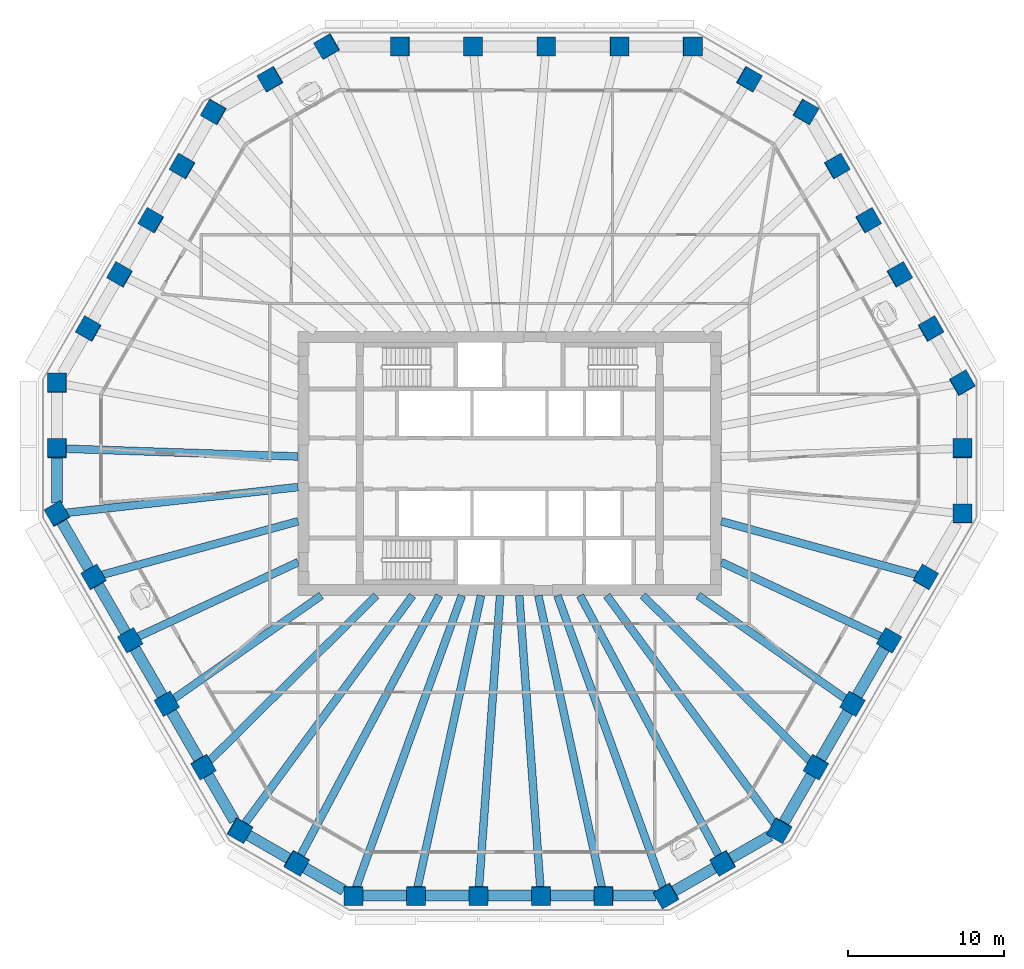
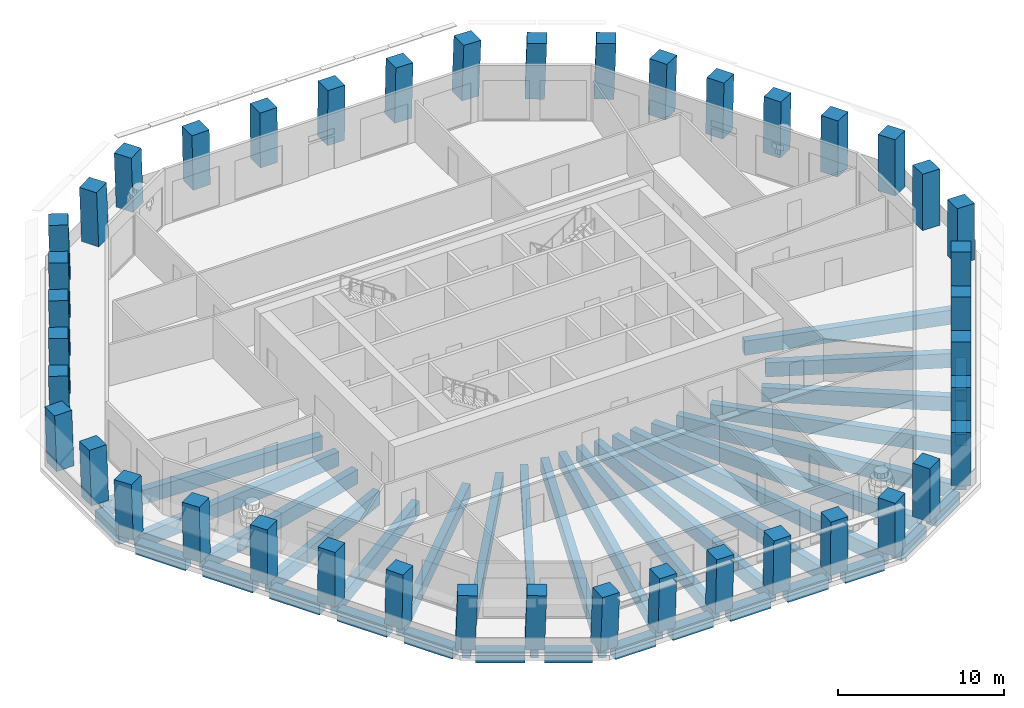
# One storey, part 1 of 12: 42 columns, 38 beams.
"""IFC4 building model written with IfcOpenShell, lengths in metres."""

from ifc_helpers import new_model, si_unit, direction, frame, origin, origin_2d, place, context, subcontext, project, spatial, rectangle, extrude, material, material_profile, profile_set, type_object, element, save


model = new_model("IFC4")

# Units and contexts
model_context = context("Model", 3, precision=1e-05, world=origin(), true_north=direction((0.0, 1.0)))
body_context = subcontext(model_context, "Body", "Model", "MODEL_VIEW")
ifc_project = project(units=[si_unit("LENGTHUNIT", "METRE"), si_unit("AREAUNIT", "SQUARE_METRE"), si_unit("VOLUMEUNIT", "CUBIC_METRE"), si_unit("PLANEANGLEUNIT", "RADIAN"), si_unit("MASSUNIT", "GRAM", prefix="KILO")], contexts=[model_context])

# Site, building, storey
site_placement = place(None, origin())
site = spatial("IfcSite", under=ifc_project, at=site_placement, CompositionType="ELEMENT")
building_placement = place(site_placement, origin())
building = spatial("IfcBuilding", under=site, at=building_placement, Name="Frailejon Research Tower", CompositionType="ELEMENT")
storey_placement = place(building_placement, frame((0.0, 0.0, 176.0)))
storey = spatial("IfcBuildingStorey", under=building, at=storey_placement, Name="L38", CompositionType="ELEMENT", Elevation=176.0)

# Columns
ifc_material_1 = material(Name="Concrete C60/75", Category="concrete")
ifc_material_profile_1 = material_profile(ifc_material_1, rectangle(XDim=1.199951171875, YDim=1.199951171875, at=origin_2d()), Name="Column 1200")
ifc_profile_set_1 = profile_set([ifc_material_profile_1], Name="Concrete C60/75")
column_type = type_object("IfcColumnType", Name="Column 1200", PredefinedType="COLUMN", material=ifc_profile_set_1)
for number, where, z_axis, x_axis, name in (
    (1, (28.9716796875, -3.219482421875, 0.0), (0.018132630042, 0.031385715123, 0.999342856388), (-0.000879091474, 0.999507299139, -0.031374928948), "Column C01"),
    (2, (28.9716796875, 0.968017578125, 0.0), (0.018132630042, 0.031385715123, 0.999342856388), (-0.000564983943, 0.99950734708, -0.031380629795), "Column C02"),
    (3, (28.9716796875, 5.155517578125, 0.0), (0.018132630042, 0.031385715123, 0.999342856388), (-0.500407005807, 0.865600954182, -0.018105707902), "Column C03"),
):
    element("IfcColumn", number, at=place(storey_placement, frame(where, z_axis=z_axis, x_axis=x_axis)), inside=storey, type_object=column_type, Name=name, PredefinedType="COLUMN", context=body_context, shape_type="SweptSolid", body=[
        extrude(rectangle(XDim=1.199951171875, YDim=1.199951171875, at=origin_2d()), origin(), (0.0, 0.0, 1.0), 4.052734375),
    ])
column_1_placement = place(storey_placement, frame((26.96728515625, 8.626953125, 0.0), z_axis=(0.021809609218, 0.025123223878, 0.999446429063), x_axis=(-0.499316957517, 0.86635106376, -0.010881647777)))
element("IfcColumn", 4, at=column_1_placement, inside=storey, type_object=column_type, Name="Column C04", PredefinedType="COLUMN", context=body_context, shape_type="SweptSolid", body=[
    extrude(rectangle(XDim=1.199951171875, YDim=1.199951171875, at=origin_2d()), origin(), (0.0, 0.0, 1.0), 4.05224609375),
])
for number, where, z_axis, x_axis, name in (
    (5, (24.963134765625, 12.098388671875, 0.0), (0.025425823116, 0.018798238892, 0.999499951843), (-0.498882626684, 0.866662044711, -0.003609023418), "Column C05"),
    (6, (22.958984375, 15.569580078125, 0.0), (0.029040838643, 0.012592396839, 0.999498905068), (-0.500555205851, 0.86569697754, 0.003637165647), "Column C06"),
):
    element("IfcColumn", number, at=place(storey_placement, frame(where, z_axis=z_axis, x_axis=x_axis)), inside=storey, type_object=column_type, Name=name, PredefinedType="COLUMN", context=body_context, shape_type="SweptSolid", body=[
        extrude(rectangle(XDim=1.199951171875, YDim=1.199951171875, at=origin_2d()), origin(), (0.0, 0.0, 1.0), 4.052001953125),
    ])
column_2_placement = place(storey_placement, frame((20.954833984375, 19.041015625, 0.0), z_axis=(0.032654187208, 0.006265748099, 0.999447069363), x_axis=(-0.498938011444, 0.86656951925, 0.010868718561)))
element("IfcColumn", 7, at=column_2_placement, inside=storey, type_object=column_type, Name="Column C07", PredefinedType="COLUMN", context=body_context, shape_type="SweptSolid", body=[
    extrude(rectangle(XDim=1.199951171875, YDim=1.199951171875, at=origin_2d()), origin(), (0.0, 0.0, 1.0), 4.05224609375),
])
for number, where, z_axis, x_axis, name in (
    (8, (18.95068359375, 22.512451171875, 0.0), (0.036265236264, 0.0, 0.999342199969), (-0.865313546461, 0.500246354177, 0.031401456084), "Column C08"),
    (9, (15.32421875, 24.606201171875, 0.0), (0.036205074038, 0.0, 0.999344381389), (-0.865315435316, 0.500246354177, 0.031349362627), "Column C09"),
    (10, (11.697509765625, 26.699951171875, 0.0), (0.036265236264, 0.0, 0.999342199969), (-0.999342199969, 0.0, 0.036265236264), "Column C10"),
):
    element("IfcColumn", number, at=place(storey_placement, frame(where, z_axis=z_axis, x_axis=x_axis)), inside=storey, type_object=column_type, Name=name, PredefinedType="COLUMN", context=body_context, shape_type="SweptSolid", body=[
        extrude(rectangle(XDim=1.199951171875, YDim=1.199951171875, at=origin_2d()), origin(), (0.0, 0.0, 1.0), 4.052734375),
    ])
column_3_placement = place(storey_placement, frame((7.0185546875, 26.699951171875, 0.0), z_axis=(0.021756257337, 0.0, 0.999763304621), x_axis=(-0.999763304621, 0.0, 0.021756257337)))
element("IfcColumn", 11, at=column_3_placement, inside=storey, type_object=column_type, Name="Column C11", PredefinedType="COLUMN", context=body_context, shape_type="SweptSolid", body=[
    extrude(rectangle(XDim=1.199951171875, YDim=1.199951171875, at=origin_2d()), origin(), (0.0, 0.0, 1.0), 4.051025390625),
])
for number, where, z_axis, x_axis, name in (
    (12, (2.339599609375, 26.699951171875, 0.0), (0.007233519834, 0.0, 0.999973837753), (-0.999973837753, 0.0, 0.007233519834), "Column C12"),
    (13, (-2.339599609375, 26.699951171875, 0.0), (-0.007233519834, 0.0, 0.999973837753), (-0.999973837753, 0.0, -0.007233519834), "Column C13"),
):
    element("IfcColumn", number, at=place(storey_placement, frame(where, z_axis=z_axis, x_axis=x_axis)), inside=storey, type_object=column_type, Name=name, PredefinedType="COLUMN", context=body_context, shape_type="SweptSolid", body=[
        extrude(rectangle(XDim=1.199951171875, YDim=1.199951171875, at=origin_2d()), origin(), (0.0, 0.0, 1.0), 4.050048828125),
    ])
column_4_placement = place(storey_placement, frame((-7.0185546875, 26.699951171875, 0.0), z_axis=(-0.021756257337, 0.0, 0.999763304621), x_axis=(-0.999763304621, 0.0, -0.021756257337)))
element("IfcColumn", 14, at=column_4_placement, inside=storey, type_object=column_type, Name="Column C14", PredefinedType="COLUMN", context=body_context, shape_type="SweptSolid", body=[
    extrude(rectangle(XDim=1.199951171875, YDim=1.199951171875, at=origin_2d()), origin(), (0.0, 0.0, 1.0), 4.051025390625),
])
for number, where, z_axis, x_axis, name in (
    (15, (-11.697509765625, 26.699951171875, 0.0), (-0.036265236264, 0.0, 0.999342199969), (-0.865313546461, -0.500246354177, -0.031401456084), "Column C15"),
    (16, (-15.32421875, 24.606201171875, 0.0), (-0.036205074038, 0.0, 0.999344381389), (-0.865315435316, -0.500246354177, -0.031349362627), "Column C16"),
    (17, (-18.95068359375, 22.512451171875, 0.0), (-0.036265236264, 0.0, 0.999342199969), (-0.499424867419, -0.866167613071, -0.018123682572), "Column C17"),
):
    element("IfcColumn", number, at=place(storey_placement, frame(where, z_axis=z_axis, x_axis=x_axis)), inside=storey, type_object=column_type, Name=name, PredefinedType="COLUMN", context=body_context, shape_type="SweptSolid", body=[
        extrude(rectangle(XDim=1.199951171875, YDim=1.199951171875, at=origin_2d()), origin(), (0.0, 0.0, 1.0), 4.052734375),
    ])
column_5_placement = place(storey_placement, frame((-20.954833984375, 19.041015625, 0.0), z_axis=(-0.032654187208, 0.006265748099, 0.999447069363), x_axis=(-0.498938011444, -0.86656951925, -0.010868718561)))
element("IfcColumn", 18, at=column_5_placement, inside=storey, type_object=column_type, Name="Column C18", PredefinedType="COLUMN", context=body_context, shape_type="SweptSolid", body=[
    extrude(rectangle(XDim=1.199951171875, YDim=1.199951171875, at=origin_2d()), origin(), (0.0, 0.0, 1.0), 4.05224609375),
])
for number, where, z_axis, x_axis, name in (
    (19, (-22.958984375, 15.569580078125, 0.0), (-0.029040838643, 0.012592396839, 0.999498905068), (-0.500555205851, -0.86569697754, -0.003637165647), "Column C19"),
    (20, (-24.963134765625, 12.098388671875, 0.0), (-0.025425823116, 0.018798238892, 0.999499951843), (-0.498882626684, -0.866662044711, 0.003609023418), "Column C20"),
):
    element("IfcColumn", number, at=place(storey_placement, frame(where, z_axis=z_axis, x_axis=x_axis)), inside=storey, type_object=column_type, Name=name, PredefinedType="COLUMN", context=body_context, shape_type="SweptSolid", body=[
        extrude(rectangle(XDim=1.199951171875, YDim=1.199951171875, at=origin_2d()), origin(), (0.0, 0.0, 1.0), 4.052001953125),
    ])
column_6_placement = place(storey_placement, frame((-26.96728515625, 8.626953125, 0.0), z_axis=(-0.021809609218, 0.025123223878, 0.999446429063), x_axis=(-0.499316957517, -0.86635106376, 0.010881647777)))
element("IfcColumn", 21, at=column_6_placement, inside=storey, type_object=column_type, Name="Column C21", PredefinedType="COLUMN", context=body_context, shape_type="SweptSolid", body=[
    extrude(rectangle(XDim=1.199951171875, YDim=1.199951171875, at=origin_2d()), origin(), (0.0, 0.0, 1.0), 4.05224609375),
])
for number, where, z_axis, x_axis, name in (
    (22, (-28.9716796875, 5.155517578125, 0.0), (-0.018132630042, 0.031385715123, 0.999342856388), (-0.000564983943, -0.99950734708, 0.031380629795), "Column C22"),
    (23, (-28.9716796875, 0.968017578125, 0.0), (-0.018132630042, 0.031385715123, 0.999342856388), (-0.000564983943, -0.99950734708, 0.031380629795), "Column C23"),
    (24, (-28.9716796875, -3.219482421875, 0.0), (-0.018132630042, 0.031385715123, 0.999342856388), (0.499402725048, -0.865611381221, 0.036247136648), "Column C24"),
):
    element("IfcColumn", number, at=place(storey_placement, frame(where, z_axis=z_axis, x_axis=x_axis)), inside=storey, type_object=column_type, Name=name, PredefinedType="COLUMN", context=body_context, shape_type="SweptSolid", body=[
        extrude(rectangle(XDim=1.199951171875, YDim=1.199951171875, at=origin_2d()), origin(), (0.0, 0.0, 1.0), 4.052734375),
    ])
column_7_placement = place(storey_placement, frame((-26.632080078125, -7.271728515625, 0.0), z_axis=(-0.010908253887, 0.018863444567, 0.99976256204), x_axis=(0.500638377412, -0.865382225109, 0.021790354016)))
element("IfcColumn", 25, at=column_7_placement, inside=storey, type_object=column_type, Name="Column C25", PredefinedType="COLUMN", context=body_context, shape_type="SweptSolid", body=[
    extrude(rectangle(XDim=1.199951171875, YDim=1.199951171875, at=origin_2d()), origin(), (0.0, 0.0, 1.0), 4.051025390625),
])
for number, where, z_axis, x_axis, name in (
    (26, (-24.29248046875, -11.323974609375, 0.0), (-0.003677038334, 0.006269048963, 0.999973588858), (0.504393140963, -0.863443534882, 0.007267834663), "Column C26"),
    (27, (-21.953125, -15.376220703125, 0.0), (0.003616759812, -0.006269050341, 0.999973808685), (0.500530036588, -0.865688916746, -0.00723753388), "Column C27"),
):
    element("IfcColumn", number, at=place(storey_placement, frame(where, z_axis=z_axis, x_axis=x_axis)), inside=storey, type_object=column_type, Name=name, PredefinedType="COLUMN", context=body_context, shape_type="SweptSolid", body=[
        extrude(rectangle(XDim=1.199951171875, YDim=1.199951171875, at=origin_2d()), origin(), (0.0, 0.0, 1.0), 4.050048828125),
    ])
column_8_placement = place(storey_placement, frame((-19.613525390625, -19.42822265625, 0.0), z_axis=(0.010847994403, -0.018863456933, 0.999763217472), x_axis=(0.498562459177, -0.866580616749, -0.02176026136)))
element("IfcColumn", 28, at=column_8_placement, inside=storey, type_object=column_type, Name="Column C28", PredefinedType="COLUMN", context=body_context, shape_type="SweptSolid", body=[
    extrude(rectangle(XDim=1.199951171875, YDim=1.199951171875, at=origin_2d()), origin(), (0.0, 0.0, 1.0), 4.051025390625),
])
for number, where, z_axis, x_axis, name in (
    (29, (-17.274169921875, -23.48046875, 0.0), (0.018132630042, -0.031385715123, 0.999342856388), (0.865999247617, -0.499059286831, -0.031386802217), "Column C29"),
    (30, (-13.647705078125, -25.57421875, 0.0), (0.018132630042, -0.031385715123, 0.999342856388), (0.865884970752, -0.499257274245, -0.031390946777), "Column C30"),
    (31, (-10.02099609375, -27.66796875, 0.0), (0.018132630042, -0.031385715123, 0.999342856388), (0.999835440934, 0.001115627466, -0.018106529978), "Column C31"),
):
    element("IfcColumn", number, at=place(storey_placement, frame(where, z_axis=z_axis, x_axis=x_axis)), inside=storey, type_object=column_type, Name=name, PredefinedType="COLUMN", context=body_context, shape_type="SweptSolid", body=[
        extrude(rectangle(XDim=1.199951171875, YDim=1.199951171875, at=origin_2d()), origin(), (0.0, 0.0, 1.0), 4.052734375),
    ])
column_9_placement = place(storey_placement, frame((-6.0126953125, -27.66796875, 0.0), z_axis=(0.010904819076, -0.031389009606, 0.999447755011), x_axis=(0.999940093801, 0.001287275269, -0.010869762286)))
element("IfcColumn", 32, at=column_9_placement, inside=storey, type_object=column_type, Name="Column C32", PredefinedType="COLUMN", context=body_context, shape_type="SweptSolid", body=[
    extrude(rectangle(XDim=1.199951171875, YDim=1.199951171875, at=origin_2d()), origin(), (0.0, 0.0, 1.0), 4.05224609375),
])
for number, where, z_axis, x_axis, name in (
    (33, (-2.004150390625, -27.66796875, 0.0), (0.00361504848, -0.031390670968, 0.999500653927), (0.999993330164, -0.00040689317, -0.003629609449), "Column C33"),
    (34, (2.004150390625, -27.66796875, 0.0), (-0.00361504848, -0.031390670968, 0.999500653927), (0.999993330164, 0.00040689317, 0.003629609449), "Column C34"),
):
    element("IfcColumn", number, at=place(storey_placement, frame(where, z_axis=z_axis, x_axis=x_axis)), inside=storey, type_object=column_type, Name=name, PredefinedType="COLUMN", context=body_context, shape_type="SweptSolid", body=[
        extrude(rectangle(XDim=1.199951171875, YDim=1.199951171875, at=origin_2d()), origin(), (0.0, 0.0, 1.0), 4.052001953125),
    ])
column_10_placement = place(storey_placement, frame((6.0126953125, -27.66796875, 0.0), z_axis=(-0.010904819076, -0.031389009606, 0.999447755011), x_axis=(0.999940093801, -0.001287275269, 0.010869762286)))
element("IfcColumn", 35, at=column_10_placement, inside=storey, type_object=column_type, Name="Column C35", PredefinedType="COLUMN", context=body_context, shape_type="SweptSolid", body=[
    extrude(rectangle(XDim=1.199951171875, YDim=1.199951171875, at=origin_2d()), origin(), (0.0, 0.0, 1.0), 4.05224609375),
])
for number, where, z_axis, x_axis, name in (
    (36, (10.02099609375, -27.66796875, 0.0), (-0.018132630042, -0.031385715123, 0.999342856388), (0.866156195426, 0.498787200508, 0.031381104725), "Column C36"),
    (37, (13.647705078125, -25.57421875, 0.0), (-0.018132630042, -0.031385715123, 0.999342856388), (0.865884970752, 0.499257274245, 0.031390946777), "Column C37"),
    (38, (17.274169921875, -23.48046875, 0.0), (-0.018132630042, -0.031385715123, 0.999342856388), (0.49987281181, 0.865340000596, 0.036247143087), "Column C38"),
):
    element("IfcColumn", number, at=place(storey_placement, frame(where, z_axis=z_axis, x_axis=x_axis)), inside=storey, type_object=column_type, Name=name, PredefinedType="COLUMN", context=body_context, shape_type="SweptSolid", body=[
        extrude(rectangle(XDim=1.199951171875, YDim=1.199951171875, at=origin_2d()), origin(), (0.0, 0.0, 1.0), 4.052734375),
    ])
column_11_placement = place(storey_placement, frame((19.613525390625, -19.42822265625, 0.0), z_axis=(-0.010847994403, -0.018863456933, 0.999763217472), x_axis=(0.498562459177, 0.866580616749, 0.02176026136)))
element("IfcColumn", 39, at=column_11_placement, inside=storey, type_object=column_type, Name="Column C39", PredefinedType="COLUMN", context=body_context, shape_type="SweptSolid", body=[
    extrude(rectangle(XDim=1.199951171875, YDim=1.199951171875, at=origin_2d()), origin(), (0.0, 0.0, 1.0), 4.051025390625),
])
for number, where, z_axis, x_axis, name in (
    (40, (21.953125, -15.376220703125, 0.0), (-0.003616759812, -0.006269050341, 0.999973808685), (0.500530036588, 0.865688916746, 0.00723753388), "Column C40"),
    (41, (24.29248046875, -11.323974609375, 0.0), (0.003677038334, 0.006269048963, 0.999973588858), (0.504393140963, 0.863443534882, -0.007267834663), "Column C41"),
):
    element("IfcColumn", number, at=place(storey_placement, frame(where, z_axis=z_axis, x_axis=x_axis)), inside=storey, type_object=column_type, Name=name, PredefinedType="COLUMN", context=body_context, shape_type="SweptSolid", body=[
        extrude(rectangle(XDim=1.199951171875, YDim=1.199951171875, at=origin_2d()), origin(), (0.0, 0.0, 1.0), 4.050048828125),
    ])
column_12_placement = place(storey_placement, frame((26.632080078125, -7.271728515625, 0.0), z_axis=(0.010908253887, 0.018863444567, 0.99976256204), x_axis=(0.500638377412, 0.865382225109, -0.021790354016)))
element("IfcColumn", 42, at=column_12_placement, inside=storey, type_object=column_type, Name="Column C42", PredefinedType="COLUMN", context=body_context, shape_type="SweptSolid", body=[
    extrude(rectangle(XDim=1.199951171875, YDim=1.199951171875, at=origin_2d()), origin(), (0.0, 0.0, 1.0), 4.051025390625),
])

# Beams
ifc_material_2 = material(Name="Concrete C60/75", Category="concrete")
ifc_material_profile_2 = material_profile(ifc_material_2, rectangle(XDim=0.5, YDim=1.050048828125, at=origin_2d()), Name="Girder 500x1050")
ifc_profile_set_2 = profile_set([ifc_material_profile_2], Name="Concrete C60/75")
beam_type_1 = type_object("IfcBeamType", Name="Girder 500x1050", PredefinedType="BEAM", material=ifc_profile_set_2)
beam_1_placement = place(storey_placement, frame((-28.521484375, 0.952880859375, -0.824951171875), z_axis=(0.999442244743, -0.033394601691, 0.0), x_axis=(0.033394601691, 0.999442244743, 0.0)))
element("IfcBeam", 43, at=beam_1_placement, inside=storey, type_object=beam_type_1, Name="Girder 500x1050", PredefinedType="BEAM", context=body_context, shape_type="SweptSolid", body=[
    extrude(rectangle(XDim=0.5, YDim=1.050048828125, at=origin_2d()), origin(), (0.0, 0.0, 1.0), 14.979736328125),
])
beam_2_placement = place(storey_placement, frame((-28.469482421875, -3.163818359375, -0.824951171875), z_axis=(0.993881949491, 0.11044759154, 0.0), x_axis=(-0.11044759154, 0.993881949491, 0.0)))
element("IfcBeam", 44, at=beam_2_placement, inside=storey, type_object=beam_type_1, Name="Girder 500x1050", PredefinedType="BEAM", context=body_context, shape_type="SweptSolid", body=[
    extrude(rectangle(XDim=0.5, YDim=1.050048828125, at=origin_2d()), origin(), (0.0, 0.0, 1.0), 15.01123046875),
])
beam_3_placement = place(storey_placement, frame((-26.17822265625, -7.14794921875, -0.824951171875), z_axis=(0.964682431499, 0.263415653214, 0.0), x_axis=(-0.263415653214, 0.964682431499, 0.0)))
element("IfcBeam", 45, at=beam_3_placement, inside=storey, type_object=beam_type_1, Name="Girder 500x1050", PredefinedType="BEAM", context=body_context, shape_type="SweptSolid", body=[
    extrude(rectangle(XDim=0.5, YDim=1.050048828125, at=origin_2d()), origin(), (0.0, 0.0, 1.0), 13.090576171875),
])
beam_4_placement = place(storey_placement, frame((-23.8828125, -11.1328125, -0.824951171875), z_axis=(0.906369617057, 0.422485641502, 0.0), x_axis=(-0.422485641502, 0.906369617057, 0.0)))
element("IfcBeam", 46, at=beam_4_placement, inside=storey, type_object=beam_type_1, Name="Girder 500x1050", PredefinedType="BEAM", context=body_context, shape_type="SweptSolid", body=[
    extrude(rectangle(XDim=0.5, YDim=1.050048828125, at=origin_2d()), origin(), (0.0, 0.0, 1.0), 11.400146484375),
])
beam_5_placement = place(storey_placement, frame((-21.58251953125, -15.11669921875, -0.824951171875), z_axis=(0.81906606841, 0.573699203049, 0.0), x_axis=(-0.573699203049, 0.81906606841, 0.0)))
element("IfcBeam", 47, at=beam_5_placement, inside=storey, type_object=beam_type_1, Name="Girder 500x1050", PredefinedType="BEAM", context=body_context, shape_type="SweptSolid", body=[
    extrude(rectangle(XDim=0.5, YDim=1.050048828125, at=origin_2d()), origin(), (0.0, 0.0, 1.0), 11.62060546875),
])
beam_6_placement = place(storey_placement, frame((-19.279296875, -19.09716796875, -0.824951171875), z_axis=(0.710455271203, 0.703742358835, 0.0), x_axis=(-0.703742358835, 0.710455271203, 0.0)))
element("IfcBeam", 48, at=beam_6_placement, inside=storey, type_object=beam_type_1, Name="Girder 500x1050", PredefinedType="BEAM", context=body_context, shape_type="SweptSolid", body=[
    extrude(rectangle(XDim=0.5, YDim=1.050048828125, at=origin_2d()), origin(), (0.0, 0.0, 1.0), 15.12939453125),
])
beam_7_placement = place(storey_placement, frame((-17.005126953125, -23.114990234375, -0.824951171875), z_axis=(0.592584993956, 0.80550792978, 0.0), x_axis=(-0.80550792978, 0.592584993956, 0.0)))
element("IfcBeam", 49, at=beam_7_placement, inside=storey, type_object=beam_type_1, Name="Girder 500x1050", PredefinedType="BEAM", context=body_context, shape_type="SweptSolid", body=[
    extrude(rectangle(XDim=0.5, YDim=1.050048828125, at=origin_2d()), origin(), (0.0, 0.0, 1.0), 18.2060546875),
])
beam_8_placement = place(storey_placement, frame((-13.435546875, -25.1767578125, -0.824951171875), z_axis=(0.470806103852, 0.882236710059, 0.0), x_axis=(-0.882236710059, 0.470806103852, 0.0)))
element("IfcBeam", 50, at=beam_8_placement, inside=storey, type_object=beam_type_1, Name="Girder 500x1050", PredefinedType="BEAM", context=body_context, shape_type="SweptSolid", body=[
    extrude(rectangle(XDim=0.5, YDim=1.050048828125, at=origin_2d()), origin(), (0.0, 0.0, 1.0), 18.95947265625),
])
beam_9_placement = place(storey_placement, frame((-9.854736328125, -27.208984375, -0.824951171875), z_axis=(0.340535277193, 0.940231740044, 0.0), x_axis=(-0.940231740044, 0.340535277193, 0.0)))
element("IfcBeam", 51, at=beam_9_placement, inside=storey, type_object=beam_type_1, Name="Girder 500x1050", PredefinedType="BEAM", context=body_context, shape_type="SweptSolid", body=[
    extrude(rectangle(XDim=0.5, YDim=1.050048828125, at=origin_2d()), origin(), (0.0, 0.0, 1.0), 19.951416015625),
])
beam_10_placement = place(storey_placement, frame((-5.9140625, -27.214599609375, -0.824951171875), z_axis=(0.212360497551, 0.977191393269, 0.0), x_axis=(-0.977191393269, 0.212360497551, 0.0)))
element("IfcBeam", 52, at=beam_10_placement, inside=storey, type_object=beam_type_1, Name="Girder 500x1050", PredefinedType="BEAM", context=body_context, shape_type="SweptSolid", body=[
    extrude(rectangle(XDim=0.5, YDim=1.050048828125, at=origin_2d()), origin(), (0.0, 0.0, 1.0), 19.20263671875),
])
for number, where, z_axis, x_axis, name in (
    (53, (-1.9716796875, -27.217529296875, -0.824951171875), (0.072255742026, 0.997386137734, 0.0), (-0.997386137734, 0.072255742026, 0.0), "Girder 500x1050"),
    (54, (1.9716796875, -27.217529296875, -0.824951171875), (-0.072255742026, 0.997386137734, 0.0), (-0.997386137734, -0.072255742026, 0.0), "Girder 500x1050"),
):
    element("IfcBeam", number, at=place(storey_placement, frame(where, z_axis=z_axis, x_axis=x_axis)), inside=storey, type_object=beam_type_1, Name=name, PredefinedType="BEAM", context=body_context, shape_type="SweptSolid", body=[
        extrude(rectangle(XDim=0.5, YDim=1.050048828125, at=origin_2d()), origin(), (0.0, 0.0, 1.0), 18.816650390625),
    ])
beam_11_placement = place(storey_placement, frame((5.9140625, -27.214599609375, -0.824951171875), z_axis=(-0.212360497551, 0.977191393269, 0.0), x_axis=(-0.977191393269, -0.212360497551, 0.0)))
element("IfcBeam", 55, at=beam_11_placement, inside=storey, type_object=beam_type_1, Name="Girder 500x1050", PredefinedType="BEAM", context=body_context, shape_type="SweptSolid", body=[
    extrude(rectangle(XDim=0.5, YDim=1.050048828125, at=origin_2d()), origin(), (0.0, 0.0, 1.0), 19.20263671875),
])
beam_12_placement = place(storey_placement, frame((9.864501953125, -27.23583984375, -0.824951171875), z_axis=(-0.340537004996, 0.940231114263, 0.0), x_axis=(-0.940231114263, -0.340537004996, 0.0)))
element("IfcBeam", 56, at=beam_12_placement, inside=storey, type_object=beam_type_1, Name="Girder 500x1050", PredefinedType="BEAM", context=body_context, shape_type="SweptSolid", body=[
    extrude(rectangle(XDim=0.5, YDim=1.050048828125, at=origin_2d()), origin(), (0.0, 0.0, 1.0), 19.97998046875),
])
beam_13_placement = place(storey_placement, frame((13.435546875, -25.1767578125, -0.824951171875), z_axis=(-0.470806103852, 0.882236710059, 0.0), x_axis=(-0.882236710059, -0.470806103852, 0.0)))
element("IfcBeam", 57, at=beam_13_placement, inside=storey, type_object=beam_type_1, Name="Girder 500x1050", PredefinedType="BEAM", context=body_context, shape_type="SweptSolid", body=[
    extrude(rectangle(XDim=0.5, YDim=1.050048828125, at=origin_2d()), origin(), (0.0, 0.0, 1.0), 18.95947265625),
])
beam_14_placement = place(storey_placement, frame((16.974853515625, -23.073486328125, -0.824951171875), z_axis=(-0.592594271473, 0.805501104541, 0.0), x_axis=(-0.805501104541, -0.592594271473, 0.0)))
element("IfcBeam", 58, at=beam_14_placement, inside=storey, type_object=beam_type_1, Name="Girder 500x1050", PredefinedType="BEAM", context=body_context, shape_type="SweptSolid", body=[
    extrude(rectangle(XDim=0.5, YDim=1.050048828125, at=origin_2d()), origin(), (0.0, 0.0, 1.0), 18.154541015625),
])
beam_15_placement = place(storey_placement, frame((19.279296875, -19.09716796875, -0.824951171875), z_axis=(-0.710455271203, 0.703742358835, 0.0), x_axis=(-0.703742358835, -0.710455271203, 0.0)))
element("IfcBeam", 59, at=beam_15_placement, inside=storey, type_object=beam_type_1, Name="Girder 500x1050", PredefinedType="BEAM", context=body_context, shape_type="SweptSolid", body=[
    extrude(rectangle(XDim=0.5, YDim=1.050048828125, at=origin_2d()), origin(), (0.0, 0.0, 1.0), 15.12939453125),
])
beam_16_placement = place(storey_placement, frame((21.58251953125, -15.11669921875, -0.824951171875), z_axis=(-0.81906606841, 0.573699203049, 0.0), x_axis=(-0.573699203049, -0.81906606841, 0.0)))
element("IfcBeam", 60, at=beam_16_placement, inside=storey, type_object=beam_type_1, Name="Girder 500x1050", PredefinedType="BEAM", context=body_context, shape_type="SweptSolid", body=[
    extrude(rectangle(XDim=0.5, YDim=1.050048828125, at=origin_2d()), origin(), (0.0, 0.0, 1.0), 11.62060546875),
])
beam_17_placement = place(storey_placement, frame((23.8828125, -11.1328125, -0.824951171875), z_axis=(-0.906369617057, 0.422485641502, 0.0), x_axis=(-0.422485641502, -0.906369617057, 0.0)))
element("IfcBeam", 61, at=beam_17_placement, inside=storey, type_object=beam_type_1, Name="Girder 500x1050", PredefinedType="BEAM", context=body_context, shape_type="SweptSolid", body=[
    extrude(rectangle(XDim=0.5, YDim=1.050048828125, at=origin_2d()), origin(), (0.0, 0.0, 1.0), 11.400146484375),
])
beam_18_placement = place(storey_placement, frame((26.17822265625, -7.14794921875, -0.824951171875), z_axis=(-0.964682431499, 0.263415653214, 0.0), x_axis=(-0.263415653214, -0.964682431499, 0.0)))
element("IfcBeam", 62, at=beam_18_placement, inside=storey, type_object=beam_type_1, Name="Girder 500x1050", PredefinedType="BEAM", context=body_context, shape_type="SweptSolid", body=[
    extrude(rectangle(XDim=0.5, YDim=1.050048828125, at=origin_2d()), origin(), (0.0, 0.0, 1.0), 13.090576171875),
])
ifc_material_3 = material(Name="Concrete C60/75", Category="concrete")
ifc_material_profile_3 = material_profile(ifc_material_3, rectangle(XDim=0.699951171875, YDim=0.800048828125, at=origin_2d()), Name="Spandrel 700x800")
ifc_profile_set_3 = profile_set([ifc_material_profile_3], Name="Concrete C60/75")
beam_type_2 = type_object("IfcBeamType", Name="Spandrel 700x800", PredefinedType="BEAM", material=ifc_profile_set_3)
beam_19_placement = place(storey_placement, frame((-28.9716796875, 0.367919921875, -0.75), z_axis=(0.0, -1.0, 0.0), x_axis=(1.0, 0.0, 0.0)))
element("IfcBeam", 63, at=beam_19_placement, inside=storey, type_object=beam_type_2, Name="Spandrel 700x800", PredefinedType="BEAM", context=body_context, shape_type="SweptSolid", body=[
    extrude(rectangle(XDim=0.699951171875, YDim=0.800048828125, at=origin_2d()), origin(), (0.0, 0.0, 1.0), 2.894775390625),
])
beam_20_placement = place(storey_placement, frame((-28.671630859375, -3.7392578125, -0.75), z_axis=(0.499995806763, -0.866027824738, 0.0), x_axis=(0.866027824738, 0.499995806763, 0.0)))
element("IfcBeam", 64, at=beam_20_placement, inside=storey, type_object=beam_type_2, Name="Spandrel 700x800", PredefinedType="BEAM", context=body_context, shape_type="SweptSolid", body=[
    extrude(rectangle(XDim=0.699951171875, YDim=0.800048828125, at=origin_2d()), origin(), (0.0, 0.0, 1.0), 3.47900390625),
])
beam_21_placement = place(storey_placement, frame((-26.33203125, -7.79150390625, -0.75), z_axis=(0.500026194733, -0.86601027972, 0.0), x_axis=(0.86601027972, 0.500026194733, 0.0)))
element("IfcBeam", 65, at=beam_21_placement, inside=storey, type_object=beam_type_2, Name="Spandrel 700x800", PredefinedType="BEAM", context=body_context, shape_type="SweptSolid", body=[
    extrude(rectangle(XDim=0.699951171875, YDim=0.800048828125, at=origin_2d()), origin(), (0.0, 0.0, 1.0), 3.478759765625),
])
for number, where, z_axis, x_axis, name in (
    (66, (-23.99267578125, -11.843505859375, -0.75), (0.499995806763, -0.866027824738, 0.0), (0.866027824738, 0.499995806763, 0.0), "Spandrel 700x800"),
    (67, (-21.653076171875, -15.895751953125, -0.75), (0.499995806763, -0.866027824738, 0.0), (0.866027824738, 0.499995806763, 0.0), "Spandrel 700x800"),
):
    element("IfcBeam", number, at=place(storey_placement, frame(where, z_axis=z_axis, x_axis=x_axis)), inside=storey, type_object=beam_type_2, Name=name, PredefinedType="BEAM", context=body_context, shape_type="SweptSolid", body=[
        extrude(rectangle(XDim=0.699951171875, YDim=0.800048828125, at=origin_2d()), origin(), (0.0, 0.0, 1.0), 3.47900390625),
    ])
beam_22_placement = place(storey_placement, frame((-19.313720703125, -19.94775390625, -0.75), z_axis=(0.499992893009, -0.866029506969, 0.0), x_axis=(0.866029506969, 0.499992893009, 0.0)))
element("IfcBeam", 68, at=beam_22_placement, inside=storey, type_object=beam_type_2, Name="Spandrel 700x800", PredefinedType="BEAM", context=body_context, shape_type="SweptSolid", body=[
    extrude(rectangle(XDim=0.699951171875, YDim=0.800048828125, at=origin_2d()), origin(), (0.0, 0.0, 1.0), 3.38623046875),
])
beam_23_placement = place(storey_placement, frame((-16.75439453125, -23.780517578125, -0.75), z_axis=(0.86603180189, -0.499988917992, 0.0), x_axis=(0.499988917992, 0.86603180189, 0.0)))
element("IfcBeam", 69, at=beam_23_placement, inside=storey, type_object=beam_type_2, Name="Spandrel 700x800", PredefinedType="BEAM", context=body_context, shape_type="SweptSolid", body=[
    extrude(rectangle(XDim=0.699951171875, YDim=0.800048828125, at=origin_2d()), origin(), (0.0, 0.0, 1.0), 2.9873046875),
])
beam_24_placement = place(storey_placement, frame((-13.1279296875, -25.8740234375, -0.75), z_axis=(0.865997375625, -0.500048543054, 0.0), x_axis=(0.500048543054, 0.865997375625, 0.0)))
element("IfcBeam", 70, at=beam_24_placement, inside=storey, type_object=beam_type_2, Name="Spandrel 700x800", PredefinedType="BEAM", context=body_context, shape_type="SweptSolid", body=[
    extrude(rectangle(XDim=0.699951171875, YDim=0.800048828125, at=origin_2d()), origin(), (0.0, 0.0, 1.0), 2.894775390625),
])
for number, where, z_axis, x_axis, name in (
    (71, (-9.4208984375, -27.66796875, -0.75), (1.0, 0.0, 0.0), (0.0, 1.0, 0.0), "Spandrel 700x800"),
    (72, (-5.41259765625, -27.66796875, -0.75), (1.0, 0.0, 0.0), (0.0, 1.0, 0.0), "Spandrel 700x800"),
):
    element("IfcBeam", number, at=place(storey_placement, frame(where, z_axis=z_axis, x_axis=x_axis)), inside=storey, type_object=beam_type_2, Name=name, PredefinedType="BEAM", context=body_context, shape_type="SweptSolid", body=[
        extrude(rectangle(XDim=0.699951171875, YDim=0.800048828125, at=origin_2d()), origin(), (0.0, 0.0, 1.0), 2.808349609375),
    ])
beam_25_placement = place(storey_placement, frame((-1.404296875, -27.66796875, -0.75), z_axis=(1.0, 0.0, 0.0), x_axis=(0.0, 1.0, 0.0)))
element("IfcBeam", 73, at=beam_25_placement, inside=storey, type_object=beam_type_2, Name="Spandrel 700x800", PredefinedType="BEAM", context=body_context, shape_type="SweptSolid", body=[
    extrude(rectangle(XDim=0.699951171875, YDim=0.800048828125, at=origin_2d()), origin(), (0.0, 0.0, 1.0), 2.80859375),
])
beam_26_placement = place(storey_placement, frame((2.604248046875, -27.66796875, -0.75), z_axis=(1.0, 0.0, 0.0), x_axis=(0.0, 1.0, 0.0)))
element("IfcBeam", 74, at=beam_26_placement, inside=storey, type_object=beam_type_2, Name="Spandrel 700x800", PredefinedType="BEAM", context=body_context, shape_type="SweptSolid", body=[
    extrude(rectangle(XDim=0.699951171875, YDim=0.800048828125, at=origin_2d()), origin(), (0.0, 0.0, 1.0), 2.808349609375),
])
beam_27_placement = place(storey_placement, frame((6.612548828125, -27.66796875, -0.75), z_axis=(1.0, 0.0, 0.0), x_axis=(0.0, 1.0, 0.0)))
element("IfcBeam", 75, at=beam_27_placement, inside=storey, type_object=beam_type_2, Name="Spandrel 700x800", PredefinedType="BEAM", context=body_context, shape_type="SweptSolid", body=[
    extrude(rectangle(XDim=0.699951171875, YDim=0.800048828125, at=origin_2d()), origin(), (0.0, 0.0, 1.0), 2.715576171875),
])
beam_28_placement = place(storey_placement, frame((10.54052734375, -27.367919921875, -0.75), z_axis=(0.866016846215, 0.500014821852, 0.0), x_axis=(-0.500014821852, 0.866016846215, 0.0)))
element("IfcBeam", 76, at=beam_28_placement, inside=storey, type_object=beam_type_2, Name="Spandrel 700x800", PredefinedType="BEAM", context=body_context, shape_type="SweptSolid", body=[
    extrude(rectangle(XDim=0.699951171875, YDim=0.800048828125, at=origin_2d()), origin(), (0.0, 0.0, 1.0), 2.98779296875),
])
beam_29_placement = place(storey_placement, frame((14.167236328125, -25.274169921875, -0.75), z_axis=(0.866033897268, 0.499985288567, 0.0), x_axis=(-0.499985288567, 0.866033897268, 0.0)))
element("IfcBeam", 77, at=beam_29_placement, inside=storey, type_object=beam_type_2, Name="Spandrel 700x800", PredefinedType="BEAM", context=body_context, shape_type="SweptSolid", body=[
    extrude(rectangle(XDim=0.699951171875, YDim=0.800048828125, at=origin_2d()), origin(), (0.0, 0.0, 1.0), 2.89453125),
])
for number, where, z_axis, x_axis, name in (
    (78, (17.57421875, -22.960693359375, -0.75), (0.499995806763, 0.866027824738, 0.0), (-0.866027824738, 0.499995806763, 0.0), "Spandrel 700x800"),
    (79, (19.91357421875, -18.90869140625, -0.75), (0.499995806763, 0.866027824738, 0.0), (-0.866027824738, 0.499995806763, 0.0), "Spandrel 700x800"),
    (80, (22.253173828125, -14.8564453125, -0.75), (0.499995806763, 0.866027824738, 0.0), (-0.866027824738, 0.499995806763, 0.0), "Spandrel 700x800"),
):
    element("IfcBeam", number, at=place(storey_placement, frame(where, z_axis=z_axis, x_axis=x_axis)), inside=storey, type_object=beam_type_2, Name=name, PredefinedType="BEAM", context=body_context, shape_type="SweptSolid", body=[
        extrude(rectangle(XDim=0.699951171875, YDim=0.800048828125, at=origin_2d()), origin(), (0.0, 0.0, 1.0), 3.47900390625),
    ])

save(model, "model.ifc")
